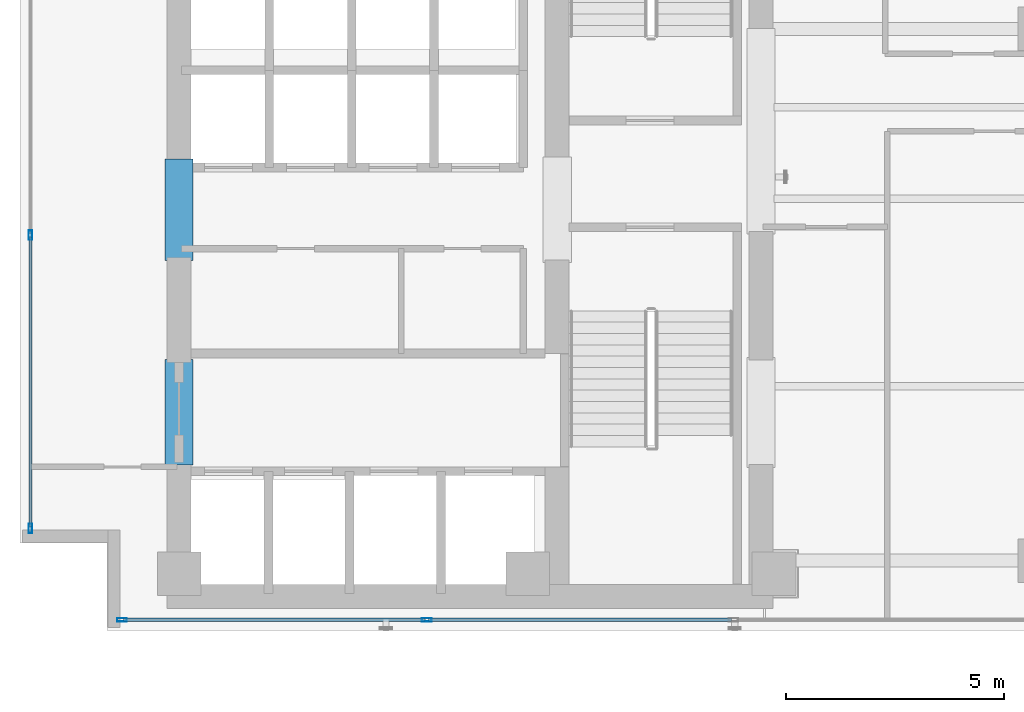
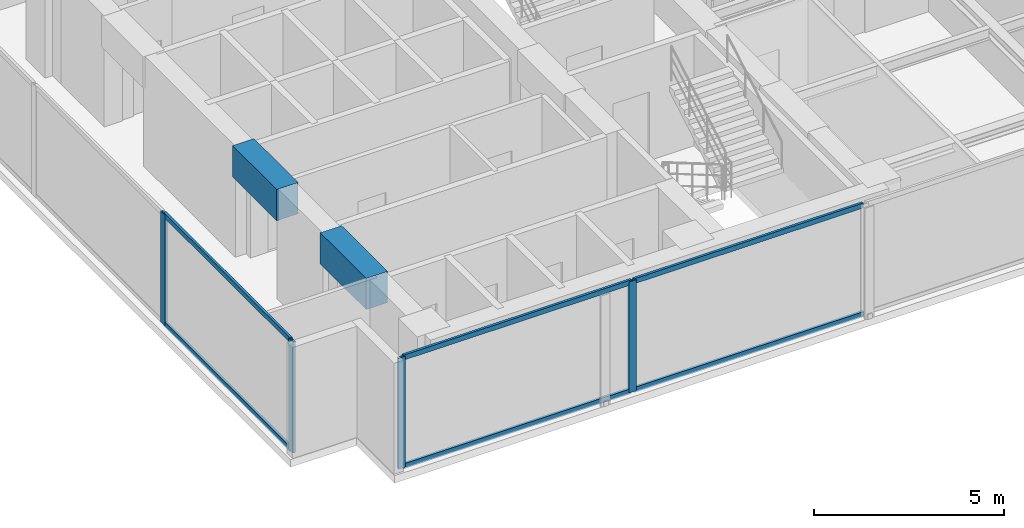
# One storey, part 2 of 24: 10 members, 2 beams, 2 elements without a shape of their own.
"""IFC4 building model written with IfcOpenShell, lengths in metres."""

from ifc_helpers import new_model, si_unit, direction, frame, origin, origin_with_axes, origin_2d, place, context, subcontext, project, spatial, rectangle, hollow_rectangle, extrude, source, transform, mapped, material, layer, layer_set, material_profile, profile_set, type_object, element, aggregate, save


model = new_model("IFC4")

# Units and contexts
model_context = context("Model", 3, precision=1e-05, world=origin(), true_north=direction((0.0, 1.0)))
body_context = subcontext(model_context, "Body", "Model", "MODEL_VIEW")
ifc_project = project(units=[si_unit("LENGTHUNIT", "METRE"), si_unit("AREAUNIT", "SQUARE_METRE"), si_unit("VOLUMEUNIT", "CUBIC_METRE"), si_unit("PLANEANGLEUNIT", "RADIAN"), si_unit("MASSUNIT", "GRAM", prefix="KILO")], contexts=[model_context])

# Site, building, storey
site_placement = place(None, origin())
site = spatial("IfcSite", under=ifc_project, at=site_placement, CompositionType="ELEMENT")
building_placement = place(site_placement, origin())
building = spatial("IfcBuilding", under=site, at=building_placement, Name="Kolvaren Waterfront Exchange", CompositionType="ELEMENT")
storey_placement = place(building_placement, frame((0.0, 0.0, 208.300048828125)))
storey = spatial("IfcBuildingStorey", under=building, at=storey_placement, Name="L53", CompositionType="ELEMENT", Elevation=208.300048828125)

# Beams
ifc_material_1 = material(Name="Concrete C60/75", Category="concrete")
ifc_material_profile_1 = material_profile(ifc_material_1, rectangle(XDim=0.64990234375, YDim=1.0, at=origin_2d()), Name="RC-CB-1000x650")
ifc_profile_set_1 = profile_set([ifc_material_profile_1], Name="Concrete C60/75")
beam_type = type_object("IfcBeamType", Name="STR-CB-1000", PredefinedType="SPANDREL", material=ifc_profile_set_1)
beam_1_placement = place(storey_placement, frame((7.449951171875, 7.389892578125, 3.06005859375), z_axis=(0.0, 1.0, 0.0), x_axis=(-1.0, 0.0, 0.0)))
element("IfcBeam", 1, at=beam_1_placement, inside=storey, type_object=beam_type, Name="L53 core coupling beam 3", PredefinedType="SPANDREL", context=body_context, shape_type="SweptSolid", body=[
    extrude(rectangle(XDim=0.64990234375, YDim=1.0, at=origin_2d()), origin(), (0.0, 0.0, 1.0), 2.420166015625),
])
beam_2_placement = place(storey_placement, frame((7.449951171875, 12.090087890625, 3.06005859375), z_axis=(0.0, 1.0, 0.0), x_axis=(-1.0, 0.0, 0.0)))
element("IfcBeam", 2, at=beam_2_placement, inside=storey, type_object=beam_type, Name="L53 core coupling beam 4", PredefinedType="SPANDREL", context=body_context, shape_type="SweptSolid", body=[
    extrude(rectangle(XDim=0.64990234375, YDim=1.0, at=origin_2d()), origin(), (0.0, 0.0, 1.0), 2.31982421875),
])

# Curtain wall, members
ifc_material_2 = material(Name="Anodised bronze aluminium 6063-T6", Category="aluminium")
ifc_layer_1 = layer(ifc_material_2, 0.219970703125, Name="Anodised bronze aluminium 6063-T6")
ifc_layer_set_1 = layer_set([ifc_layer_1], Name="Anodised bronze aluminium 6063-T6")
curtain_wall_type_1 = type_object("IfcCurtainWallType", Name="ARC-CW-SYS1", PredefinedType="USERDEFINED", material=ifc_layer_set_1)
curtain_wall_1_placement = place(storey_placement, origin())
curtain_wall_1 = element("IfcCurtainWall", 3, at=curtain_wall_1_placement, inside=storey, type_object=curtain_wall_type_1, Name="L53 stick curtain wall CW1 (CW-L53-S)", ObjectType="STICK CURTAIN WALL", PredefinedType="USERDEFINED")
ifc_material_3 = material(Name="Anodised aluminium 6063-T6", Category="aluminium")
ifc_material_profile_2 = material_profile(ifc_material_3, hollow_rectangle(XDim=0.080078125, YDim=0.219970703125, WallThickness=0.0048828125, at=origin_2d()), Name="ALU-MUL-220x80x5")
ifc_profile_set_2 = profile_set([ifc_material_profile_2], Name="Anodised aluminium 6063-T6")
member_type_1 = type_object("IfcMemberType", Name="ARC-CWM-220", PredefinedType="MULLION", material=ifc_profile_set_2)
shared_shape_1 = source(origin_with_axes(), body_context, "Body", "SweptSolid", [
    extrude(hollow_rectangle(XDim=0.080078125, YDim=0.219970703125, WallThickness=0.0048828125, at=origin_2d()), origin(), (0.0, 0.0, 1.0), 3.56005859375),
])
member_1_placement = place(storey_placement, frame((6.139892578125, 3.840087890625, 0.0), z_axis=(0.0, 0.0, 1.0), x_axis=(0.0, 1.0, 0.0)))
member_1 = element("IfcMember", 4, at=member_1_placement, type_object=member_type_1, Name="CW1 mullion 1", PredefinedType="MULLION", context=body_context, shape_type="MappedRepresentation", body=[
    mapped(shared_shape_1, transform((0.0, 0.0, 0.0), x_axis=(1.0, 0.0, 0.0), y_axis=(0.0, 1.0, 0.0), z_axis=(0.0, 0.0, 1.0), scale=1.0)),
])
member_2_placement = place(storey_placement, frame((13.13330078125, 3.840087890625, 0.0), z_axis=(0.0, 0.0, 1.0), x_axis=(0.0, 1.0, 0.0)))
member_2 = element("IfcMember", 5, at=member_2_placement, type_object=member_type_1, Name="CW1 mullion 2", PredefinedType="MULLION", context=body_context, shape_type="MappedRepresentation", body=[
    mapped(shared_shape_1, transform((0.0, 0.0, 0.0), x_axis=(1.0, 0.0, 0.0), y_axis=(0.0, 1.0, 0.0), z_axis=(0.0, 0.0, 1.0), scale=1.0)),
])

ifc_layer_2 = layer(ifc_material_3, 0.219970703125, Name="Anodised aluminium 6063-T6")
ifc_layer_set_2 = layer_set([ifc_layer_2], Name="Anodised aluminium 6063-T6")
curtain_wall_type_2 = type_object("IfcCurtainWallType", Name="ARC-CW-SYS2", PredefinedType="USERDEFINED", material=ifc_layer_set_2)
curtain_wall_2_placement = place(storey_placement, origin())
curtain_wall_2 = element("IfcCurtainWall", 6, at=curtain_wall_2_placement, inside=storey, type_object=curtain_wall_type_2, Name="L53 stick curtain wall CW2 (CW-L53-W)", ObjectType="STICK CURTAIN WALL", PredefinedType="USERDEFINED")
member_3_placement = place(storey_placement, frame((4.0400390625, 5.93994140625, 0.0), z_axis=(0.0, 0.0, 1.0), x_axis=(-1.0, 0.0, 0.0)))
member_3 = element("IfcMember", 7, at=member_3_placement, type_object=member_type_1, Name="CW2 mullion 1", PredefinedType="MULLION", context=body_context, shape_type="MappedRepresentation", body=[
    mapped(shared_shape_1, transform((0.0, 0.0, 0.0), x_axis=(1.0, 0.0, 0.0), y_axis=(0.0, 1.0, 0.0), z_axis=(0.0, 0.0, 1.0), scale=1.0)),
])
member_4_placement = place(storey_placement, frame((4.0400390625, 12.666748046875, 0.0), z_axis=(0.0, 0.0, 1.0), x_axis=(-1.0, 0.0, 0.0)))
member_4 = element("IfcMember", 8, at=member_4_placement, type_object=member_type_1, Name="CW2 mullion 2", PredefinedType="MULLION", context=body_context, shape_type="MappedRepresentation", body=[
    mapped(shared_shape_1, transform((0.0, 0.0, 0.0), x_axis=(1.0, 0.0, 0.0), y_axis=(0.0, 1.0, 0.0), z_axis=(0.0, 0.0, 1.0), scale=1.0)),
])
ifc_material_profile_3 = material_profile(ifc_material_3, hollow_rectangle(XDim=0.074951171875, YDim=0.159912109375, WallThickness=0.00439453125, at=origin_2d()), Name="ALU-TRN-160x75x4.5")
ifc_profile_set_3 = profile_set([ifc_material_profile_3], Name="Anodised aluminium 6063-T6")
member_type_2 = type_object("IfcMemberType", Name="ARC-CWT-160", PredefinedType="USERDEFINED", material=ifc_profile_set_3)
shared_shape_2 = source(origin_with_axes(), body_context, "Body", "SweptSolid", [
    extrude(hollow_rectangle(XDim=0.074951171875, YDim=0.159912109375, WallThickness=0.00439453125, at=origin_2d()), origin(), (0.0, 0.0, 1.0), 6.646728515625),
])
member_5_placement = place(storey_placement, frame((4.0400390625, 5.97998046875, 0.037353515625), z_axis=(0.0, 1.0, 0.0), x_axis=(-1.0, 0.0, 0.0)))
member_5 = element("IfcMember", 9, at=member_5_placement, type_object=member_type_2, Name="CW2 transom 1.1", ObjectType="TRANSOM", PredefinedType="USERDEFINED", context=body_context, shape_type="MappedRepresentation", body=[
    mapped(shared_shape_2, transform((0.0, 0.0, 0.0), x_axis=(1.0, 0.0, 0.0), y_axis=(0.0, 1.0, 0.0), z_axis=(0.0, 0.0, 1.0), scale=1.0)),
])
member_6_placement = place(storey_placement, frame((4.0400390625, 5.97998046875, 3.5224609375), z_axis=(0.0, 1.0, 0.0), x_axis=(-1.0, 0.0, 0.0)))
member_6 = element("IfcMember", 10, at=member_6_placement, type_object=member_type_2, Name="CW2 transom 1.2", ObjectType="TRANSOM", PredefinedType="USERDEFINED", context=body_context, shape_type="MappedRepresentation", body=[
    mapped(shared_shape_2, transform((0.0, 0.0, 0.0), x_axis=(1.0, 0.0, 0.0), y_axis=(0.0, 1.0, 0.0), z_axis=(0.0, 0.0, 1.0), scale=1.0)),
])
aggregate(curtain_wall_2, [member_3, member_4, member_5, member_6])

# Member
shared_shape_3 = source(origin_with_axes(), body_context, "Body", "SweptSolid", [
    extrude(hollow_rectangle(XDim=0.074951171875, YDim=0.159912109375, WallThickness=0.00439453125, at=origin_2d()), origin(), (0.0, 0.0, 1.0), 6.913330078125),
])
member_7_placement = place(storey_placement, frame((6.179931640625, 3.840087890625, 0.037353515625), z_axis=(1.0, 0.0, 0.0), x_axis=(0.0, 1.0, 0.0)))
member_7 = element("IfcMember", 11, at=member_7_placement, type_object=member_type_2, Name="CW1 transom 1.1", ObjectType="TRANSOM", PredefinedType="USERDEFINED", context=body_context, shape_type="MappedRepresentation", body=[
    mapped(shared_shape_3, transform((0.0, 0.0, 0.0), x_axis=(1.0, 0.0, 0.0), y_axis=(0.0, 1.0, 0.0), z_axis=(0.0, 0.0, 1.0), scale=1.0)),
])

member_8_placement = place(storey_placement, frame((6.179931640625, 3.840087890625, 3.5224609375), z_axis=(1.0, 0.0, 0.0), x_axis=(0.0, 1.0, 0.0)))
member_8 = element("IfcMember", 12, at=member_8_placement, type_object=member_type_2, Name="CW1 transom 1.2", ObjectType="TRANSOM", PredefinedType="USERDEFINED", context=body_context, shape_type="MappedRepresentation", body=[
    mapped(shared_shape_3, transform((0.0, 0.0, 0.0), x_axis=(1.0, 0.0, 0.0), y_axis=(0.0, 1.0, 0.0), z_axis=(0.0, 0.0, 1.0), scale=1.0)),
])

shared_shape_4 = source(origin_with_axes(), body_context, "Body", "SweptSolid", [
    extrude(hollow_rectangle(XDim=0.074951171875, YDim=0.159912109375, WallThickness=0.00439453125, at=origin_2d()), origin(), (0.0, 0.0, 1.0), 6.953369140625),
])
member_9_placement = place(storey_placement, frame((13.17333984375, 3.840087890625, 0.037353515625), z_axis=(1.0, 0.0, 0.0), x_axis=(0.0, 1.0, 0.0)))
member_9 = element("IfcMember", 13, at=member_9_placement, type_object=member_type_2, Name="CW1 transom 2.1", ObjectType="TRANSOM", PredefinedType="USERDEFINED", context=body_context, shape_type="MappedRepresentation", body=[
    mapped(shared_shape_4, transform((0.0, 0.0, 0.0), x_axis=(1.0, 0.0, 0.0), y_axis=(0.0, 1.0, 0.0), z_axis=(0.0, 0.0, 1.0), scale=1.0)),
])

member_10_placement = place(storey_placement, frame((13.17333984375, 3.840087890625, 3.5224609375), z_axis=(1.0, 0.0, 0.0), x_axis=(0.0, 1.0, 0.0)))
member_10 = element("IfcMember", 14, at=member_10_placement, type_object=member_type_2, Name="CW1 transom 2.2", ObjectType="TRANSOM", PredefinedType="USERDEFINED", context=body_context, shape_type="MappedRepresentation", body=[
    mapped(shared_shape_4, transform((0.0, 0.0, 0.0), x_axis=(1.0, 0.0, 0.0), y_axis=(0.0, 1.0, 0.0), z_axis=(0.0, 0.0, 1.0), scale=1.0)),
])

aggregate(curtain_wall_1, [member_1, member_2, member_7, member_8, member_9, member_10])

save(model, "model.ifc")
